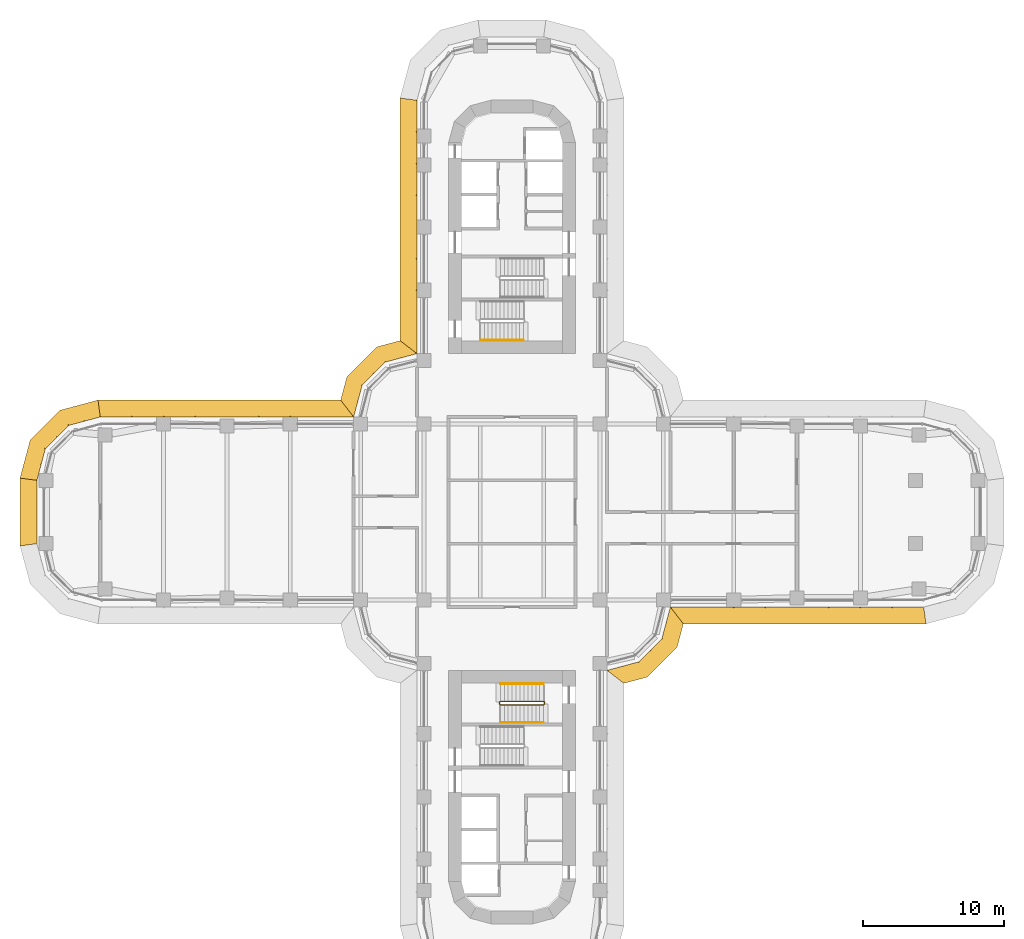
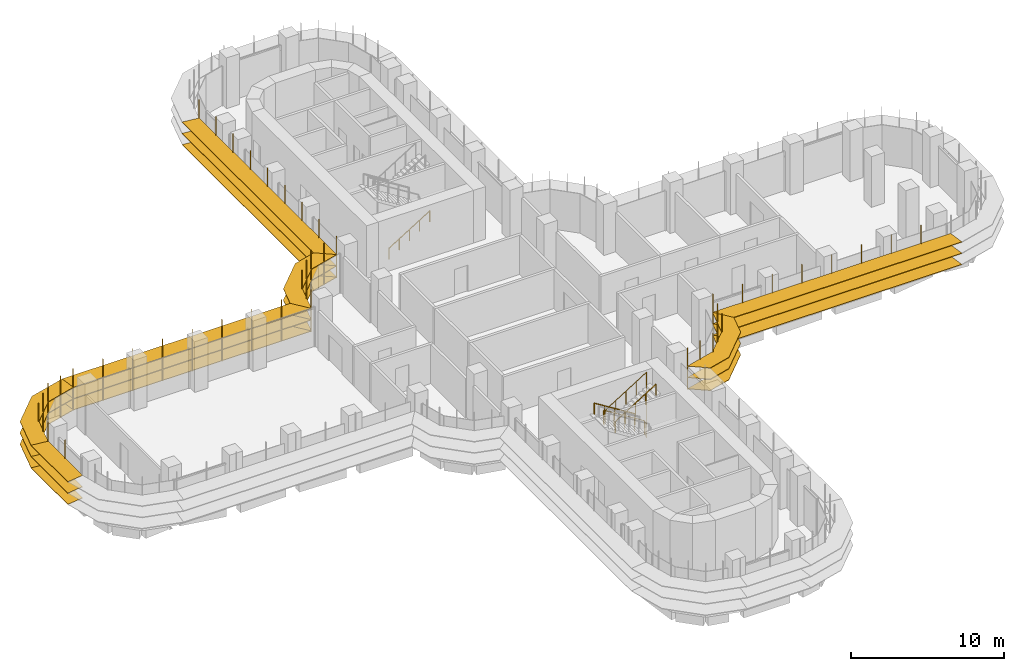
# One storey, part 21 of 23: 7 shading devices, 4 railings.
"""IFC4 building model written with IfcOpenShell, lengths in metres."""

from ifc_helpers import new_model, si_unit, direction, frame, origin, origin_2d, place, context, subcontext, project, spatial, polyline, circle, outline, extrude, faceted_brep, source, transform, mapped, material, type_object, element, save


model = new_model("IFC4")

# Units and contexts
model_context = context("Model", 3, precision=1e-05, world=origin(), true_north=direction((0.0, 1.0)))
body_context = subcontext(model_context, "Body", "Model", "MODEL_VIEW")
ifc_project = project(units=[si_unit("LENGTHUNIT", "METRE"), si_unit("AREAUNIT", "SQUARE_METRE"), si_unit("VOLUMEUNIT", "CUBIC_METRE"), si_unit("PLANEANGLEUNIT", "RADIAN"), si_unit("MASSUNIT", "GRAM", prefix="KILO")], contexts=[model_context])

# Site, building, storey
site_placement = place(None, origin())
site = spatial("IfcSite", under=ifc_project, at=site_placement, CompositionType="ELEMENT")
building_placement = place(site_placement, origin())
building = spatial("IfcBuilding", under=site, at=building_placement, Name="Zarbagh Exchange Tower", CompositionType="ELEMENT")
storey_placement = place(building_placement, frame((0.0, 0.0, 73.199951171875)))
storey = spatial("IfcBuildingStorey", under=building, at=storey_placement, Name="L16", CompositionType="ELEMENT", Elevation=73.199951171875)

# Railings
ifc_material_1 = material(Name="Stainless steel", Category="steel")
railing_type_1 = type_object("IfcRailingType", Name="Stair guard 1100 mm", PredefinedType="GUARDRAIL", material=ifc_material_1)
railing_1_placement = place(storey_placement, frame((-0.8798828125, -13.5, 2.10009765625)))
element("IfcRailing", 1, at=railing_1_placement, inside=storey, type_object=railing_type_1, Name="ST4 stair guard 1", PredefinedType="GUARDRAIL", context=body_context, shape_type="SweptSolid", body=[
    extrude(circle(Radius=0.02392578125, at=origin_2d()), frame((0.0, 0.0, 1.076171875), z_axis=(0.0, -1.0, 0.0), x_axis=(1.0, 0.0, 0.0)), (0.0, 0.0, 1.0), 0.14990234375),
    extrude(circle(Radius=0.02392578125, at=origin_2d()), frame((0.0, -0.14990234375, 1.076171875), z_axis=(0.263862480399, -0.265155923931, 0.927399011991), x_axis=(0.708833529934, 0.705375805398, 0.0)), (0.0, 0.0, 1.0), 0.188720703125),
    extrude(circle(Radius=0.02392578125, at=origin_2d()), frame((0.0498046875, -0.199951171875, 1.2509765625), z_axis=(0.848028513186, 0.0, 0.529950602248), x_axis=(0.0, 1.0, 0.0)), (0.0, 0.0, 1.0), 3.632080078125),
    extrude(circle(Radius=0.02392578125, at=origin_2d()), frame((3.1298828125, -0.199951171875, 3.17578125), z_axis=(0.011914834358, 0.011914834358, -0.999858026644), x_axis=(-0.707106781187, 0.707106781187, 0.0)), (0.0, 0.0, 1.0), 4.200439453125),
    extrude(circle(Radius=0.02392578125, at=origin_2d()), frame((3.179931640625, -0.14990234375, -1.02392578125), z_axis=(0.0, 1.0, 0.0), x_axis=(-1.0, 0.0, 0.0)), (0.0, 0.0, 1.0), 0.14990234375),
    extrude(circle(Radius=0.02392578125, at=origin_2d()), frame((3.179931640625, 0.0, -1.02392578125), z_axis=(-0.265065253269, 0.265065253269, 0.927081885822), x_axis=(-0.707106781187, -0.707106781187, 0.0)), (0.0, 0.0, 1.0), 0.188720703125),
    extrude(circle(Radius=0.02392578125, at=origin_2d()), frame((3.1298828125, 0.050048828125, -0.84912109375), z_axis=(-0.847998304005, 0.0, 0.529998940003), x_axis=(0.0, -1.0, 0.0)), (0.0, 0.0, 1.0), 3.632080078125),
    extrude(circle(Radius=0.02099609375, at=origin_2d()), origin(), (0.0, 0.0, 1.0), 1.052001953125),
    extrude(circle(Radius=0.02099609375, at=origin_2d()), frame((0.0, -0.14990234375, 0.0)), (0.0, 0.0, 1.0), 1.052001953125),
    extrude(circle(Radius=0.02099609375, at=origin_2d()), frame((0.0498046875, -0.199951171875, 0.175048828125)), (0.0, 0.0, 1.0), 1.052001953125),
    extrude(circle(Radius=0.02099609375, at=origin_2d()), frame((0.81982421875, -0.199951171875, 0.65625)), (0.0, 0.0, 1.0), 1.052001953125),
    extrude(circle(Radius=0.02099609375, at=origin_2d()), frame((1.58984375, -0.199951171875, 1.137451171875)), (0.0, 0.0, 1.0), 1.052001953125),
    extrude(circle(Radius=0.02099609375, at=origin_2d()), frame((2.35986328125, -0.199951171875, 1.61865234375)), (0.0, 0.0, 1.0), 1.052001953125),
    extrude(circle(Radius=0.02099609375, at=origin_2d()), frame((3.1298828125, -0.199951171875, 2.099853515625)), (0.0, 0.0, 1.0), 1.052001953125),
    extrude(circle(Radius=0.02099609375, at=origin_2d()), frame((3.142333984375, -0.1875, 1.0498046875)), (0.0, 0.0, 1.0), 1.052001953125),
    extrude(circle(Radius=0.02099609375, at=origin_2d()), frame((3.15478515625, -0.1748046875, 0.0)), (0.0, 0.0, 1.0), 1.052001953125),
    extrude(circle(Radius=0.02099609375, at=origin_2d()), frame((3.16748046875, -0.162353515625, -1.050048828125)), (0.0, 0.0, 1.0), 1.052001953125),
    extrude(circle(Radius=0.02099609375, at=origin_2d()), frame((3.179931640625, -0.14990234375, -2.10009765625)), (0.0, 0.0, 1.0), 1.052001953125),
    extrude(circle(Radius=0.02099609375, at=origin_2d()), frame((3.179931640625, 0.0, -2.10009765625)), (0.0, 0.0, 1.0), 1.052001953125),
    extrude(circle(Radius=0.02099609375, at=origin_2d()), frame((3.1298828125, 0.050048828125, -1.925048828125)), (0.0, 0.0, 1.0), 1.052001953125),
    extrude(circle(Radius=0.02099609375, at=origin_2d()), frame((2.35986328125, 0.050048828125, -1.44384765625)), (0.0, 0.0, 1.0), 1.052001953125),
    extrude(circle(Radius=0.02099609375, at=origin_2d()), frame((1.58984375, 0.050048828125, -0.96240234375)), (0.0, 0.0, 1.0), 1.052001953125),
    extrude(circle(Radius=0.02099609375, at=origin_2d()), frame((0.81982421875, 0.050048828125, -0.481201171875)), (0.0, 0.0, 1.0), 1.052001953125),
    extrude(circle(Radius=0.02099609375, at=origin_2d()), frame((0.0498046875, 0.050048828125, 0.0)), (0.0, 0.0, 1.0), 1.052001953125),
])
railing_type_2 = type_object("IfcRailingType", Name="Stair handrail 900 mm", PredefinedType="HANDRAIL", material=ifc_material_1)
railing_2_placement = place(storey_placement, frame((-2.25, 12.199951171875, 0.175048828125)))
element("IfcRailing", 2, at=railing_2_placement, inside=storey, type_object=railing_type_2, Name="ST2 stair handrail 1", PredefinedType="HANDRAIL", context=body_context, shape_type="SweptSolid", body=[
    extrude(circle(Radius=0.02392578125, at=origin_2d()), frame((0.0, 0.0, 0.8759765625), z_axis=(0.847998304005, 0.0, 0.529998940003), x_axis=(0.0, 1.0, 0.0)), (0.0, 0.0, 1.0), 3.632080078125),
    extrude(circle(Radius=0.02099609375, at=origin_2d()), origin(), (0.0, 0.0, 1.0), 0.851806640625),
    extrude(circle(Radius=0.02099609375, at=origin_2d()), frame((0.77001953125, 0.0, 0.481201171875)), (0.0, 0.0, 1.0), 0.851806640625),
    extrude(circle(Radius=0.02099609375, at=origin_2d()), frame((1.5400390625, 0.0, 0.96240234375)), (0.0, 0.0, 1.0), 0.851806640625),
    extrude(circle(Radius=0.02099609375, at=origin_2d()), frame((2.31005859375, 0.0, 1.44384765625)), (0.0, 0.0, 1.0), 0.851806640625),
    extrude(circle(Radius=0.02099609375, at=origin_2d()), frame((3.080078125, 0.0, 1.925048828125)), (0.0, 0.0, 1.0), 0.851806640625),
])
railing_3_placement = place(storey_placement, frame((2.25, -12.199951171875, 0.175048828125)))
element("IfcRailing", 3, at=railing_3_placement, inside=storey, type_object=railing_type_2, Name="ST4 stair handrail 1", PredefinedType="HANDRAIL", context=body_context, shape_type="SweptSolid", body=[
    extrude(circle(Radius=0.02392578125, at=origin_2d()), frame((0.0, 0.0, 0.8759765625), z_axis=(-0.847998304005, 0.0, 0.529998940003), x_axis=(0.0, -1.0, 0.0)), (0.0, 0.0, 1.0), 3.632080078125),
    extrude(circle(Radius=0.02099609375, at=origin_2d()), origin(), (0.0, 0.0, 1.0), 0.851806640625),
    extrude(circle(Radius=0.02099609375, at=origin_2d()), frame((-0.77001953125, 0.0, 0.481201171875)), (0.0, 0.0, 1.0), 0.851806640625),
    extrude(circle(Radius=0.02099609375, at=origin_2d()), frame((-1.5400390625, 0.0, 0.96240234375)), (0.0, 0.0, 1.0), 0.851806640625),
    extrude(circle(Radius=0.02099609375, at=origin_2d()), frame((-2.31005859375, 0.0, 1.44384765625)), (0.0, 0.0, 1.0), 0.851806640625),
    extrude(circle(Radius=0.02099609375, at=origin_2d()), frame((-3.080078125, 0.0, 1.925048828125)), (0.0, 0.0, 1.0), 0.851806640625),
])
railing_4_placement = place(storey_placement, frame((-0.830078125, -14.949951171875, 2.275146484375)))
element("IfcRailing", 4, at=railing_4_placement, inside=storey, type_object=railing_type_2, Name="ST4 stair handrail 2", PredefinedType="HANDRAIL", context=body_context, shape_type="SweptSolid", body=[
    extrude(circle(Radius=0.02392578125, at=origin_2d()), frame((0.0, 0.0, 0.8759765625), z_axis=(0.848028513186, 0.0, 0.529950602248), x_axis=(0.0, 1.0, 0.0)), (0.0, 0.0, 1.0), 3.632080078125),
    extrude(circle(Radius=0.02099609375, at=origin_2d()), origin(), (0.0, 0.0, 1.0), 0.851806640625),
    extrude(circle(Radius=0.02099609375, at=origin_2d()), frame((0.77001953125, 0.0, 0.481201171875)), (0.0, 0.0, 1.0), 0.851806640625),
    extrude(circle(Radius=0.02099609375, at=origin_2d()), frame((1.5400390625, 0.0, 0.96240234375)), (0.0, 0.0, 1.0), 0.851806640625),
    extrude(circle(Radius=0.02099609375, at=origin_2d()), frame((2.31005859375, 0.0, 1.443603515625)), (0.0, 0.0, 1.0), 0.851806640625),
    extrude(circle(Radius=0.02099609375, at=origin_2d()), frame((3.080078125, 0.0, 1.9248046875)), (0.0, 0.0, 1.0), 0.851806640625),
])

# Shading devices
ifc_material_2 = material(Name="Anodised aluminium blades and brackets", Category="aluminium")
shading_device_type = type_object("IfcShadingDeviceType", Name="SUNSHADE louvre band, 0 degree blades", PredefinedType="JALOUSIE", material=ifc_material_2)
shared_shape_1 = source(origin(), body_context, "Body", "Brep", [
    faceted_brep([(0.0, 0.0, 0.0), (0.0, 0.0, -0.0400390625), (-0.157958984375, -1.199951171875, -0.0400390625), (-0.157958984375, -1.199951171875, 0.0), (2.65087890625, -1.199951171875, 0.0), (2.65087890625, -1.199951171875, -0.0400390625), (2.329345703125, 0.0, -0.0400390625), (2.329345703125, 0.0, 0.0)], [[[0, 1, 2, 3]], [[4, 5, 6, 7]], [[0, 7, 6, 1]], [[1, 6, 5, 2]], [[2, 5, 4, 3]], [[3, 4, 7, 0]]]),
])
shared_shape_2 = source(origin(), body_context, "Body", "Brep", [
    faceted_brep([(0.0, 0.0, 0.0), (0.0, 0.0, -0.0400390625), (-0.321533203125, -1.199951171875, -0.0400390625), (-0.321533203125, -1.199951171875, 0.0), (2.65087890625, -1.199951171875, 0.0), (2.65087890625, -1.199951171875, -0.0400390625), (2.329345703125, 0.0, -0.0400390625), (2.329345703125, 0.0, 0.0)], [[[0, 1, 2, 3]], [[4, 5, 6, 7]], [[0, 7, 6, 1]], [[1, 6, 5, 2]], [[2, 5, 4, 3]], [[3, 4, 7, 0]]]),
])
shared_shape_3 = source(origin(), body_context, "Body", "Brep", [
    faceted_brep([(0.0, 0.0, 0.0), (0.0, 0.0, -0.0400390625), (-0.321533203125, -1.199951171875, -0.0400390625), (-0.321533203125, -1.199951171875, 0.0), (2.4873046875, -1.199951171875, 0.0), (2.4873046875, -1.199951171875, -0.0400390625), (2.329345703125, 0.0, -0.0400390625), (2.329345703125, 0.0, 0.0)], [[[0, 1, 2, 3]], [[4, 5, 6, 7]], [[0, 7, 6, 1]], [[1, 6, 5, 2]], [[2, 5, 4, 3]], [[3, 4, 7, 0]]]),
])
shared_shape_4 = source(origin(), body_context, "Body", "SweptSolid", [
    extrude(outline(polyline([(0.0, -0.012451171875), (0.06005859375, -0.012451171875), (0.06005859375, 0.012451171875), (0.0, 0.012451171875), (0.0, -0.012451171875)])), origin(), (0.0, 0.0, 1.0), 3.35009765625),
])
placement = place(storey_placement, origin())
element("IfcShadingDevice", 5, at=placement, inside=storey, type_object=shading_device_type, Name="SS17 sunshade band", PredefinedType="JALOUSIE", context=body_context, shape_type="MappedRepresentation", body=[
    mapped(shared_shape_1, transform((-29.25, 6.75, 2.699951171875), x_axis=(-0.965924289636, -0.258824779902, 0.0), y_axis=(0.258824779902, -0.965924289636, 0.0), z_axis=(0.0, 0.0, 1.0))),
    mapped(shared_shape_1, transform((-29.25, 6.75, 1.800048828125), x_axis=(-0.965924289636, -0.258824779902, 0.0), y_axis=(0.258824779902, -0.965924289636, 0.0), z_axis=(0.0, 0.0, 1.0))),
    mapped(shared_shape_1, transform((-29.25, 6.75, 0.900146484375), x_axis=(-0.965924289636, -0.258824779902, 0.0), y_axis=(0.258824779902, -0.965924289636, 0.0), z_axis=(0.0, 0.0, 1.0))),
    mapped(shared_shape_2, transform((-31.5, 6.147216796875, 2.699951171875), x_axis=(-0.707106781187, -0.707106781187, 0.0), y_axis=(0.707106781187, -0.707106781187, 0.0), z_axis=(0.0, 0.0, 1.0))),
    mapped(shared_shape_2, transform((-31.5, 6.147216796875, 1.800048828125), x_axis=(-0.707106781187, -0.707106781187, 0.0), y_axis=(0.707106781187, -0.707106781187, 0.0), z_axis=(0.0, 0.0, 1.0))),
    mapped(shared_shape_2, transform((-31.5, 6.147216796875, 0.900146484375), x_axis=(-0.707106781187, -0.707106781187, 0.0), y_axis=(0.707106781187, -0.707106781187, 0.0), z_axis=(0.0, 0.0, 1.0))),
    mapped(shared_shape_3, transform((-33.147216796875, 4.5, 2.699951171875), x_axis=(-0.258824779902, -0.965924289636, 0.0), y_axis=(0.965924289636, -0.258824779902, 0.0), z_axis=(0.0, 0.0, 1.0))),
    mapped(shared_shape_3, transform((-33.147216796875, 4.5, 1.800048828125), x_axis=(-0.258824779902, -0.965924289636, 0.0), y_axis=(0.965924289636, -0.258824779902, 0.0), z_axis=(0.0, 0.0, 1.0))),
    mapped(shared_shape_3, transform((-33.147216796875, 4.5, 0.900146484375), x_axis=(-0.258824779902, -0.965924289636, 0.0), y_axis=(0.965924289636, -0.258824779902, 0.0), z_axis=(0.0, 0.0, 1.0))),
    mapped(shared_shape_4, transform((-29.25, 6.75, 0.830078125), x_axis=(-0.130529263012, 0.991444457092, 0.0), y_axis=(-0.991444457092, -0.130529263012, 0.0), z_axis=(0.0, 0.0, 1.0))),
    mapped(shared_shape_4, transform((-30.375, 6.448486328125, 0.830078125), x_axis=(-0.258825058029, 0.96592421511, 0.0), y_axis=(-0.96592421511, -0.258825058029, 0.0), z_axis=(0.0, 0.0, 1.0))),
    mapped(shared_shape_4, transform((-31.5, 6.147216796875, 0.830078125), x_axis=(-0.50000275701, 0.866023812018, 0.0), y_axis=(-0.866023812018, -0.50000275701, 0.0), z_axis=(0.0, 0.0, 1.0))),
    mapped(shared_shape_4, transform((-32.323486328125, 5.323486328125, 0.830078125), x_axis=(-0.707106781187, 0.707106781187, 0.0), y_axis=(-0.707106781187, -0.707106781187, 0.0), z_axis=(0.0, 0.0, 1.0))),
    mapped(shared_shape_4, transform((-33.147216796875, 4.5, 0.830078125), x_axis=(-0.866023812018, 0.50000275701, 0.0), y_axis=(-0.50000275701, -0.866023812018, 0.0), z_axis=(0.0, 0.0, 1.0))),
    mapped(shared_shape_4, transform((-33.448486328125, 3.375, 0.830078125), x_axis=(-0.96592421511, 0.258825058029, 0.0), y_axis=(-0.258825058029, -0.96592421511, 0.0), z_axis=(0.0, 0.0, 1.0))),
])
shared_shape_5 = source(origin(), body_context, "Body", "Brep", [
    faceted_brep([(0.0, 0.0, 0.0), (0.0, 0.0, -0.0400390625), (0.9208984375, -1.199951171875, -0.0400390625), (0.9208984375, -1.199951171875, 0.0), (2.65087890625, -1.199951171875, 0.0), (2.65087890625, -1.199951171875, -0.0400390625), (2.329345703125, 0.0, -0.0400390625), (2.329345703125, 0.0, 0.0)], [[[0, 1, 2, 3]], [[4, 5, 6, 7]], [[0, 7, 6, 1]], [[1, 6, 5, 2]], [[2, 5, 4, 3]], [[3, 4, 7, 0]]]),
])
shared_shape_6 = source(origin(), body_context, "Body", "Brep", [
    faceted_brep([(0.0, 0.0, 0.0), (0.0, 0.0, -0.0400390625), (-0.321533203125, -1.199951171875, -0.0400390625), (-0.321533203125, -1.199951171875, 0.0), (1.40869140625, -1.199951171875, 0.0), (1.40869140625, -1.199951171875, -0.0400390625), (2.329345703125, 0.0, -0.0400390625), (2.329345703125, 0.0, 0.0)], [[[0, 1, 2, 3]], [[4, 5, 6, 7]], [[0, 7, 6, 1]], [[1, 6, 5, 2]], [[2, 5, 4, 3]], [[3, 4, 7, 0]]]),
])
element("IfcShadingDevice", 6, at=placement, inside=storey, type_object=shading_device_type, Name="SS03 sunshade band", PredefinedType="JALOUSIE", context=body_context, shape_type="MappedRepresentation", body=[
    mapped(shared_shape_5, transform((6.75, -11.25, 2.699951171875), x_axis=(0.965924289636, 0.258824779902, 0.0), y_axis=(-0.258824779902, 0.965924289636, 0.0), z_axis=(0.0, 0.0, 1.0))),
    mapped(shared_shape_5, transform((6.75, -11.25, 1.800048828125), x_axis=(0.965924289636, 0.258824779902, 0.0), y_axis=(-0.258824779902, 0.965924289636, 0.0), z_axis=(0.0, 0.0, 1.0))),
    mapped(shared_shape_5, transform((6.75, -11.25, 0.900146484375), x_axis=(0.965924289636, 0.258824779902, 0.0), y_axis=(-0.258824779902, 0.965924289636, 0.0), z_axis=(0.0, 0.0, 1.0))),
    mapped(shared_shape_2, transform((9.0, -10.647216796875, 2.699951171875), x_axis=(0.707106781187, 0.707106781187, 0.0), y_axis=(-0.707106781187, 0.707106781187, 0.0), z_axis=(0.0, 0.0, 1.0))),
    mapped(shared_shape_2, transform((9.0, -10.647216796875, 1.800048828125), x_axis=(0.707106781187, 0.707106781187, 0.0), y_axis=(-0.707106781187, 0.707106781187, 0.0), z_axis=(0.0, 0.0, 1.0))),
    mapped(shared_shape_2, transform((9.0, -10.647216796875, 0.900146484375), x_axis=(0.707106781187, 0.707106781187, 0.0), y_axis=(-0.707106781187, 0.707106781187, 0.0), z_axis=(0.0, 0.0, 1.0))),
    mapped(shared_shape_6, transform((10.647216796875, -9.0, 2.699951171875), x_axis=(0.258824779902, 0.965924289636, 0.0), y_axis=(-0.965924289636, 0.258824779902, 0.0), z_axis=(0.0, 0.0, 1.0))),
    mapped(shared_shape_6, transform((10.647216796875, -9.0, 1.800048828125), x_axis=(0.258824779902, 0.965924289636, 0.0), y_axis=(-0.965924289636, 0.258824779902, 0.0), z_axis=(0.0, 0.0, 1.0))),
    mapped(shared_shape_6, transform((10.647216796875, -9.0, 0.900146484375), x_axis=(0.258824779902, 0.965924289636, 0.0), y_axis=(-0.965924289636, 0.258824779902, 0.0), z_axis=(0.0, 0.0, 1.0))),
    mapped(shared_shape_4, transform((6.75, -11.25, 0.830078125), x_axis=(0.793355287, -0.608758892, 0.0), y_axis=(0.608758892, 0.793355287, 0.0), z_axis=(0.0, 0.0, 1.0))),
    mapped(shared_shape_4, transform((7.875, -10.948486328125, 0.830078125), x_axis=(0.258825058029, -0.96592421511, 0.0), y_axis=(0.96592421511, 0.258825058029, 0.0), z_axis=(0.0, 0.0, 1.0))),
    mapped(shared_shape_4, transform((9.0, -10.647216796875, 0.830078125), x_axis=(0.50000275701, -0.866023812018, 0.0), y_axis=(0.866023812018, 0.50000275701, 0.0), z_axis=(0.0, 0.0, 1.0))),
    mapped(shared_shape_4, transform((9.823486328125, -9.823486328125, 0.830078125), x_axis=(0.707106781187, -0.707106781187, 0.0), y_axis=(0.707106781187, 0.707106781187, 0.0), z_axis=(0.0, 0.0, 1.0))),
    mapped(shared_shape_4, transform((10.647216796875, -9.0, 0.830078125), x_axis=(0.866023812018, -0.50000275701, 0.0), y_axis=(0.50000275701, 0.866023812018, 0.0), z_axis=(0.0, 0.0, 1.0))),
    mapped(shared_shape_4, transform((10.948486328125, -7.875, 0.830078125), x_axis=(0.96592421511, -0.258825058029, 0.0), y_axis=(0.258825058029, 0.96592421511, 0.0), z_axis=(0.0, 0.0, 1.0))),
])
element("IfcShadingDevice", 7, at=placement, inside=storey, type_object=shading_device_type, Name="SS15 sunshade band", PredefinedType="JALOUSIE", context=body_context, shape_type="MappedRepresentation", body=[
    mapped(shared_shape_5, transform((-6.75, 11.25, 2.699951171875), x_axis=(-0.965924289636, -0.258824779902, 0.0), y_axis=(0.258824779902, -0.965924289636, 0.0), z_axis=(0.0, 0.0, 1.0))),
    mapped(shared_shape_5, transform((-6.75, 11.25, 1.800048828125), x_axis=(-0.965924289636, -0.258824779902, 0.0), y_axis=(0.258824779902, -0.965924289636, 0.0), z_axis=(0.0, 0.0, 1.0))),
    mapped(shared_shape_5, transform((-6.75, 11.25, 0.900146484375), x_axis=(-0.965924289636, -0.258824779902, 0.0), y_axis=(0.258824779902, -0.965924289636, 0.0), z_axis=(0.0, 0.0, 1.0))),
    mapped(shared_shape_2, transform((-9.0, 10.647216796875, 2.699951171875), x_axis=(-0.707106781187, -0.707106781187, 0.0), y_axis=(0.707106781187, -0.707106781187, 0.0), z_axis=(0.0, 0.0, 1.0))),
    mapped(shared_shape_2, transform((-9.0, 10.647216796875, 1.800048828125), x_axis=(-0.707106781187, -0.707106781187, 0.0), y_axis=(0.707106781187, -0.707106781187, 0.0), z_axis=(0.0, 0.0, 1.0))),
    mapped(shared_shape_2, transform((-9.0, 10.647216796875, 0.900146484375), x_axis=(-0.707106781187, -0.707106781187, 0.0), y_axis=(0.707106781187, -0.707106781187, 0.0), z_axis=(0.0, 0.0, 1.0))),
    mapped(shared_shape_6, transform((-10.647216796875, 9.0, 2.699951171875), x_axis=(-0.258824779902, -0.965924289636, 0.0), y_axis=(0.965924289636, -0.258824779902, 0.0), z_axis=(0.0, 0.0, 1.0))),
    mapped(shared_shape_6, transform((-10.647216796875, 9.0, 1.800048828125), x_axis=(-0.258824779902, -0.965924289636, 0.0), y_axis=(0.965924289636, -0.258824779902, 0.0), z_axis=(0.0, 0.0, 1.0))),
    mapped(shared_shape_6, transform((-10.647216796875, 9.0, 0.900146484375), x_axis=(-0.258824779902, -0.965924289636, 0.0), y_axis=(0.965924289636, -0.258824779902, 0.0), z_axis=(0.0, 0.0, 1.0))),
    mapped(shared_shape_4, transform((-6.75, 11.25, 0.830078125), x_axis=(-0.793355287, 0.608758892, 0.0), y_axis=(-0.608758892, -0.793355287, 0.0), z_axis=(0.0, 0.0, 1.0))),
    mapped(shared_shape_4, transform((-7.875, 10.948486328125, 0.830078125), x_axis=(-0.258825058029, 0.96592421511, 0.0), y_axis=(-0.96592421511, -0.258825058029, 0.0), z_axis=(0.0, 0.0, 1.0))),
    mapped(shared_shape_4, transform((-9.0, 10.647216796875, 0.830078125), x_axis=(-0.50000275701, 0.866023812018, 0.0), y_axis=(-0.866023812018, -0.50000275701, 0.0), z_axis=(0.0, 0.0, 1.0))),
    mapped(shared_shape_4, transform((-9.823486328125, 9.823486328125, 0.830078125), x_axis=(-0.707106781187, 0.707106781187, 0.0), y_axis=(-0.707106781187, -0.707106781187, 0.0), z_axis=(0.0, 0.0, 1.0))),
    mapped(shared_shape_4, transform((-10.647216796875, 9.0, 0.830078125), x_axis=(-0.866023812018, 0.50000275701, 0.0), y_axis=(-0.50000275701, -0.866023812018, 0.0), z_axis=(0.0, 0.0, 1.0))),
    mapped(shared_shape_4, transform((-10.948486328125, 7.875, 0.830078125), x_axis=(-0.96592421511, 0.258825058029, 0.0), y_axis=(-0.258825058029, -0.96592421511, 0.0), z_axis=(0.0, 0.0, 1.0))),
])
shared_shape_7 = source(origin(), body_context, "Body", "Brep", [
    faceted_brep([(0.0, 0.0, 0.0), (0.0, 0.0, -0.0400390625), (0.9208984375, -1.199951171875, -0.0400390625), (0.9208984375, -1.199951171875, 0.0), (18.157958984375, -1.199951171875, 0.0), (18.157958984375, -1.199951171875, -0.0400390625), (18.0, 0.0, -0.0400390625), (18.0, 0.0, 0.0)], [[[0, 1, 2, 3]], [[4, 5, 6, 7]], [[0, 7, 6, 1]], [[1, 6, 5, 2]], [[2, 5, 4, 3]], [[3, 4, 7, 0]]]),
])
element("IfcShadingDevice", 8, at=placement, inside=storey, type_object=shading_device_type, Name="SS04 sunshade band", PredefinedType="JALOUSIE", context=body_context, shape_type="MappedRepresentation", body=[
    mapped(shared_shape_7, transform((11.25, -6.75, 2.699951171875), x_axis=(1.0, 0.0, 0.0), y_axis=(0.0, 1.0, 0.0), z_axis=(0.0, 0.0, 1.0))),
    mapped(shared_shape_7, transform((11.25, -6.75, 1.800048828125), x_axis=(1.0, 0.0, 0.0), y_axis=(0.0, 1.0, 0.0), z_axis=(0.0, 0.0, 1.0))),
    mapped(shared_shape_7, transform((11.25, -6.75, 0.900146484375), x_axis=(1.0, 0.0, 0.0), y_axis=(0.0, 1.0, 0.0), z_axis=(0.0, 0.0, 1.0))),
    mapped(shared_shape_4, transform((11.25, -6.75, 0.830078125), x_axis=(0.608758892, -0.793355287, 0.0), y_axis=(0.793355287, 0.608758892, 0.0), z_axis=(0.0, 0.0, 1.0))),
    mapped(shared_shape_4, transform((13.5, -6.75, 0.830078125), x_axis=(0.0, -1.0, 0.0), y_axis=(1.0, 0.0, 0.0), z_axis=(0.0, 0.0, 1.0))),
    mapped(shared_shape_4, transform((15.75, -6.75, 0.830078125), x_axis=(0.0, -1.0, 0.0), y_axis=(1.0, 0.0, 0.0), z_axis=(0.0, 0.0, 1.0))),
    mapped(shared_shape_4, transform((18.0, -6.75, 0.830078125), x_axis=(0.0, -1.0, 0.0), y_axis=(1.0, 0.0, 0.0), z_axis=(0.0, 0.0, 1.0))),
    mapped(shared_shape_4, transform((20.25, -6.75, 0.830078125), x_axis=(0.0, -1.0, 0.0), y_axis=(1.0, 0.0, 0.0), z_axis=(0.0, 0.0, 1.0))),
    mapped(shared_shape_4, transform((22.5, -6.75, 0.830078125), x_axis=(0.0, -1.0, 0.0), y_axis=(1.0, 0.0, 0.0), z_axis=(0.0, 0.0, 1.0))),
    mapped(shared_shape_4, transform((24.75, -6.75, 0.830078125), x_axis=(0.0, -1.0, 0.0), y_axis=(1.0, 0.0, 0.0), z_axis=(0.0, 0.0, 1.0))),
    mapped(shared_shape_4, transform((27.0, -6.75, 0.830078125), x_axis=(0.0, -1.0, 0.0), y_axis=(1.0, 0.0, 0.0), z_axis=(0.0, 0.0, 1.0))),
])
shared_shape_8 = source(origin(), body_context, "Body", "Brep", [
    faceted_brep([(0.0, 0.0, 0.0), (0.0, 0.0, -0.0400390625), (-0.157958984375, -1.199951171875, -0.0400390625), (-0.157958984375, -1.199951171875, 0.0), (17.0791015625, -1.199951171875, 0.0), (17.0791015625, -1.199951171875, -0.0400390625), (18.0, 0.0, -0.0400390625), (18.0, 0.0, 0.0)], [[[0, 1, 2, 3]], [[4, 5, 6, 7]], [[0, 7, 6, 1]], [[1, 6, 5, 2]], [[2, 5, 4, 3]], [[3, 4, 7, 0]]]),
])
element("IfcShadingDevice", 9, at=placement, inside=storey, type_object=shading_device_type, Name="SS14 sunshade band", PredefinedType="JALOUSIE", context=body_context, shape_type="MappedRepresentation", body=[
    mapped(shared_shape_8, transform((-6.75, 29.25, 2.699951171875), x_axis=(0.0, -1.0, 0.0), y_axis=(1.0, 0.0, 0.0), z_axis=(0.0, 0.0, 1.0))),
    mapped(shared_shape_8, transform((-6.75, 29.25, 1.800048828125), x_axis=(0.0, -1.0, 0.0), y_axis=(1.0, 0.0, 0.0), z_axis=(0.0, 0.0, 1.0))),
    mapped(shared_shape_8, transform((-6.75, 29.25, 0.900146484375), x_axis=(0.0, -1.0, 0.0), y_axis=(1.0, 0.0, 0.0), z_axis=(0.0, 0.0, 1.0))),
    mapped(shared_shape_4, transform((-6.75, 29.25, 0.830078125), x_axis=(-0.991444457092, 0.130529263012, 0.0), y_axis=(-0.130529263012, -0.991444457092, 0.0), z_axis=(0.0, 0.0, 1.0))),
    mapped(shared_shape_4, transform((-6.75, 27.0, 0.830078125), x_axis=(-1.0, 0.0, 0.0), y_axis=(0.0, -1.0, 0.0), z_axis=(0.0, 0.0, 1.0))),
    mapped(shared_shape_4, transform((-6.75, 24.75, 0.830078125), x_axis=(-1.0, 0.0, 0.0), y_axis=(0.0, -1.0, 0.0), z_axis=(0.0, 0.0, 1.0))),
    mapped(shared_shape_4, transform((-6.75, 22.5, 0.830078125), x_axis=(-1.0, 0.0, 0.0), y_axis=(0.0, -1.0, 0.0), z_axis=(0.0, 0.0, 1.0))),
    mapped(shared_shape_4, transform((-6.75, 20.25, 0.830078125), x_axis=(-1.0, 0.0, 0.0), y_axis=(0.0, -1.0, 0.0), z_axis=(0.0, 0.0, 1.0))),
    mapped(shared_shape_4, transform((-6.75, 18.0, 0.830078125), x_axis=(-1.0, 0.0, 0.0), y_axis=(0.0, -1.0, 0.0), z_axis=(0.0, 0.0, 1.0))),
    mapped(shared_shape_4, transform((-6.75, 15.75, 0.830078125), x_axis=(-1.0, 0.0, 0.0), y_axis=(0.0, -1.0, 0.0), z_axis=(0.0, 0.0, 1.0))),
    mapped(shared_shape_4, transform((-6.75, 13.5, 0.830078125), x_axis=(-1.0, 0.0, 0.0), y_axis=(0.0, -1.0, 0.0), z_axis=(0.0, 0.0, 1.0))),
])
element("IfcShadingDevice", 10, at=placement, inside=storey, type_object=shading_device_type, Name="SS16 sunshade band", PredefinedType="JALOUSIE", context=body_context, shape_type="MappedRepresentation", body=[
    mapped(shared_shape_7, transform((-11.25, 6.75, 2.699951171875), x_axis=(-1.0, 0.0, 0.0), y_axis=(0.0, -1.0, 0.0), z_axis=(0.0, 0.0, 1.0))),
    mapped(shared_shape_7, transform((-11.25, 6.75, 1.800048828125), x_axis=(-1.0, 0.0, 0.0), y_axis=(0.0, -1.0, 0.0), z_axis=(0.0, 0.0, 1.0))),
    mapped(shared_shape_7, transform((-11.25, 6.75, 0.900146484375), x_axis=(-1.0, 0.0, 0.0), y_axis=(0.0, -1.0, 0.0), z_axis=(0.0, 0.0, 1.0))),
    mapped(shared_shape_4, transform((-11.25, 6.75, 0.830078125), x_axis=(-0.608758892, 0.793355287, 0.0), y_axis=(-0.793355287, -0.608758892, 0.0), z_axis=(0.0, 0.0, 1.0))),
    mapped(shared_shape_4, transform((-13.5, 6.75, 0.830078125), x_axis=(0.0, 1.0, 0.0), y_axis=(-1.0, 0.0, 0.0), z_axis=(0.0, 0.0, 1.0))),
    mapped(shared_shape_4, transform((-15.75, 6.75, 0.830078125), x_axis=(0.0, 1.0, 0.0), y_axis=(-1.0, 0.0, 0.0), z_axis=(0.0, 0.0, 1.0))),
    mapped(shared_shape_4, transform((-18.0, 6.75, 0.830078125), x_axis=(0.0, 1.0, 0.0), y_axis=(-1.0, 0.0, 0.0), z_axis=(0.0, 0.0, 1.0))),
    mapped(shared_shape_4, transform((-20.25, 6.75, 0.830078125), x_axis=(0.0, 1.0, 0.0), y_axis=(-1.0, 0.0, 0.0), z_axis=(0.0, 0.0, 1.0))),
    mapped(shared_shape_4, transform((-22.5, 6.75, 0.830078125), x_axis=(0.0, 1.0, 0.0), y_axis=(-1.0, 0.0, 0.0), z_axis=(0.0, 0.0, 1.0))),
    mapped(shared_shape_4, transform((-24.75, 6.75, 0.830078125), x_axis=(0.0, 1.0, 0.0), y_axis=(-1.0, 0.0, 0.0), z_axis=(0.0, 0.0, 1.0))),
    mapped(shared_shape_4, transform((-27.0, 6.75, 0.830078125), x_axis=(0.0, 1.0, 0.0), y_axis=(-1.0, 0.0, 0.0), z_axis=(0.0, 0.0, 1.0))),
])
shared_shape_9 = source(origin(), body_context, "Body", "Brep", [
    faceted_brep([(0.0, 0.0, 0.0), (0.0, 0.0, -0.0400390625), (-0.157958984375, -1.199951171875, -0.0400390625), (-0.157958984375, -1.199951171875, 0.0), (4.657958984375, -1.199951171875, 0.0), (4.657958984375, -1.199951171875, -0.0400390625), (4.5, 0.0, -0.0400390625), (4.5, 0.0, 0.0)], [[[0, 1, 2, 3]], [[4, 5, 6, 7]], [[0, 7, 6, 1]], [[1, 6, 5, 2]], [[2, 5, 4, 3]], [[3, 4, 7, 0]]]),
])
element("IfcShadingDevice", 11, at=placement, inside=storey, type_object=shading_device_type, Name="SS18 sunshade band", PredefinedType="JALOUSIE", context=body_context, shape_type="MappedRepresentation", body=[
    mapped(shared_shape_9, transform((-33.75, 2.25, 2.699951171875), x_axis=(0.0, -1.0, 0.0), y_axis=(1.0, 0.0, 0.0), z_axis=(0.0, 0.0, 1.0))),
    mapped(shared_shape_9, transform((-33.75, 2.25, 1.800048828125), x_axis=(0.0, -1.0, 0.0), y_axis=(1.0, 0.0, 0.0), z_axis=(0.0, 0.0, 1.0))),
    mapped(shared_shape_9, transform((-33.75, 2.25, 0.900146484375), x_axis=(0.0, -1.0, 0.0), y_axis=(1.0, 0.0, 0.0), z_axis=(0.0, 0.0, 1.0))),
    mapped(shared_shape_4, transform((-33.75, 2.25, 0.830078125), x_axis=(-0.991444457092, 0.130529263012, 0.0), y_axis=(-0.130529263012, -0.991444457092, 0.0), z_axis=(0.0, 0.0, 1.0))),
    mapped(shared_shape_4, transform((-33.75, 0.0, 0.830078125), x_axis=(-1.0, 0.0, 0.0), y_axis=(0.0, -1.0, 0.0), z_axis=(0.0, 0.0, 1.0))),
])

save(model, "model.ifc")
